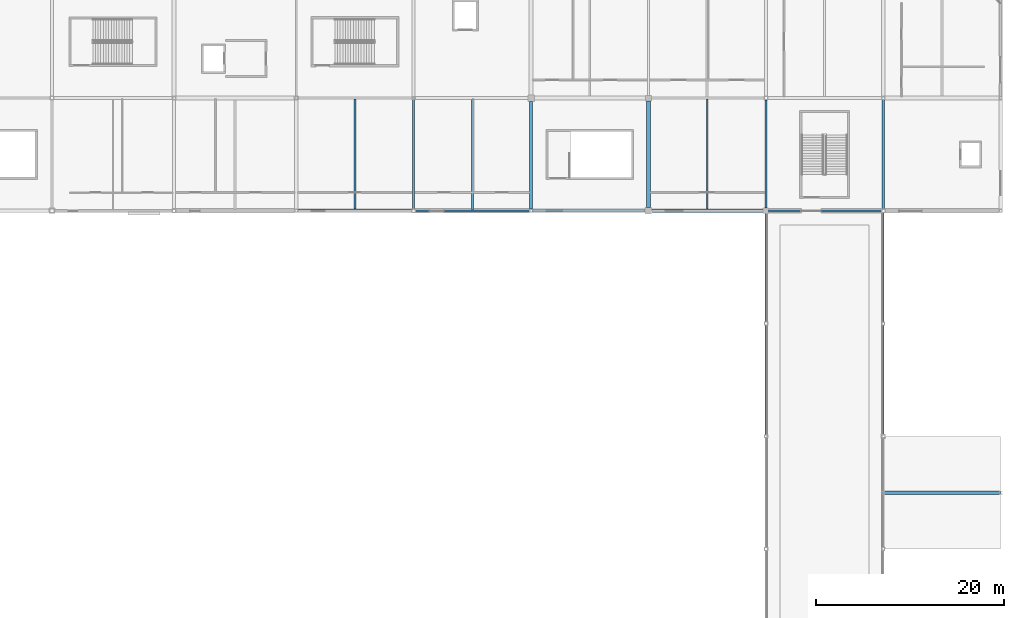
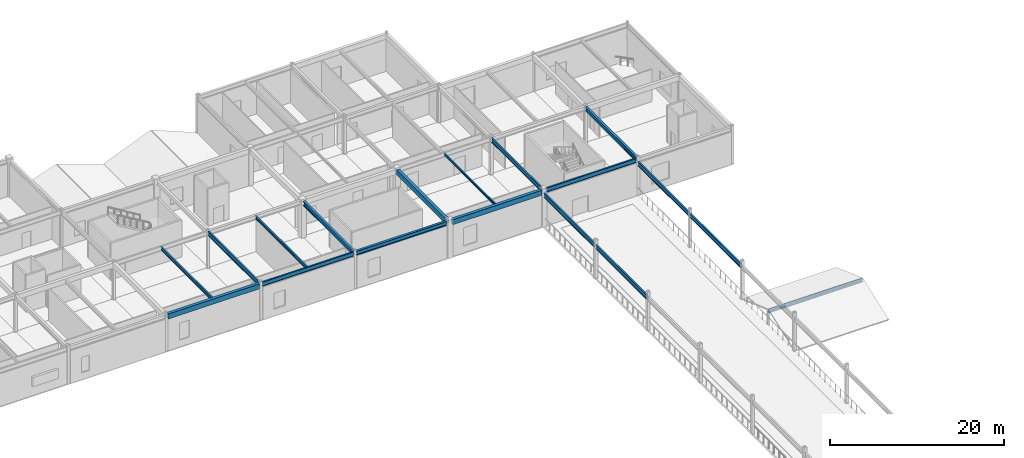
# One storey, part 48 of 105: 17 beams, 1 member.
"""IFC4 building model written with IfcOpenShell, lengths in metres."""

from ifc_helpers import new_model, si_unit, direction, frame, origin, origin_2d, place, context, subcontext, project, spatial, rectangle, i_section, extrude, material, material_profile, profile_set, type_object, element, save


model = new_model("IFC4")

# Units and contexts
model_context = context("Model", 3, precision=1e-05, world=origin(), true_north=direction((0.0, 1.0)))
body_context = subcontext(model_context, "Body", "Model", "MODEL_VIEW")
ifc_project = project(units=[si_unit("LENGTHUNIT", "METRE"), si_unit("AREAUNIT", "SQUARE_METRE"), si_unit("VOLUMEUNIT", "CUBIC_METRE"), si_unit("PLANEANGLEUNIT", "RADIAN"), si_unit("MASSUNIT", "GRAM", prefix="KILO")], contexts=[model_context])

# Site, building, storey
site_placement = place(None, origin())
site = spatial("IfcSite", under=ifc_project, at=site_placement, CompositionType="ELEMENT")
building_placement = place(site_placement, origin())
building = spatial("IfcBuilding", under=site, at=building_placement, Name="Kazenohara Klinker Stadium", CompositionType="ELEMENT")
storey_placement = place(building_placement, frame((0.0, 0.0, 20.39990234375)))
storey = spatial("IfcBuildingStorey", under=building, at=storey_placement, Name="L04", CompositionType="ELEMENT", Elevation=20.39990234375)

# Beams
ifc_material_1 = material(Name="Steel S355", Category="steel")
ifc_material_profile_1 = material_profile(ifc_material_1, i_section(OverallWidth=0.199951171875, OverallDepth=0.449951171875, WebThickness=0.009033203125, FlangeThickness=0.013916015625, FilletRadius=0.012939453125, at=origin_2d()), Name="H-450x200x9x14")
ifc_profile_set_1 = profile_set([ifc_material_profile_1], Name="Steel S355")
beam_type_1 = type_object("IfcBeamType", Name="BM-JST02", PredefinedType="JOIST", material=ifc_profile_set_1)
beam_1_placement = place(storey_placement, frame((131.25, 132.199951171875, 4.955078125), z_axis=(0.0, 1.0, 0.0), x_axis=(-1.0, 0.0, 0.0)))
element("IfcBeam", 1, at=beam_1_placement, inside=storey, type_object=beam_type_1, Name="Secondary floor joist SJ02 L04 11/M", PredefinedType="JOIST", context=body_context, shape_type="SweptSolid", body=[
    extrude(i_section(OverallWidth=0.199951171875, OverallDepth=0.449951171875, WebThickness=0.009033203125, FlangeThickness=0.013916015625, FilletRadius=0.012939453125, at=origin_2d()), origin(), (0.0, 0.0, 1.0), 11.699951171875),
])
ifc_material_profile_2 = material_profile(ifc_material_1, i_section(OverallWidth=0.199951171875, OverallDepth=0.39990234375, WebThickness=0.008056640625, FlangeThickness=0.012939453125, FilletRadius=0.012939453125, at=origin_2d()), Name="H-400x200x8x13")
ifc_profile_set_2 = profile_set([ifc_material_profile_2], Name="Steel S355")
beam_type_2 = type_object("IfcBeamType", Name="BM-JST03", PredefinedType="JOIST", material=ifc_profile_set_2)
beam_2_placement = place(storey_placement, frame((143.75, 132.10009765625, 4.97998046875), z_axis=(0.0, 1.0, 0.0), x_axis=(-1.0, 0.0, 0.0)))
element("IfcBeam", 2, at=beam_2_placement, inside=storey, type_object=beam_type_2, Name="Secondary floor joist SJ03 L04 12/M", PredefinedType="JOIST", context=body_context, shape_type="SweptSolid", body=[
    extrude(i_section(OverallWidth=0.199951171875, OverallDepth=0.39990234375, WebThickness=0.008056640625, FlangeThickness=0.012939453125, FilletRadius=0.012939453125, at=origin_2d()), origin(), (0.0, 0.0, 1.0), 11.75),
])
ifc_material_profile_3 = material_profile(ifc_material_1, i_section(OverallWidth=0.14990234375, OverallDepth=0.300048828125, WebThickness=0.006591796875, FlangeThickness=0.009033203125, FilletRadius=0.012939453125, at=origin_2d()), Name="H-300x150x6.5x9")
ifc_profile_set_3 = profile_set([ifc_material_profile_3], Name="Steel S355")
beam_type_3 = type_object("IfcBeamType", Name="BM-JST05", PredefinedType="JOIST", material=ifc_profile_set_3)
beam_3_placement = place(storey_placement, frame((168.75, 132.199951171875, 5.030029296875), z_axis=(0.0, 1.0, 0.0), x_axis=(-1.0, 0.0, 0.0)))
element("IfcBeam", 3, at=beam_3_placement, inside=storey, type_object=beam_type_3, Name="Secondary floor joist SJ05 L04 14/M", PredefinedType="JOIST", context=body_context, shape_type="SweptSolid", body=[
    extrude(i_section(OverallWidth=0.14990234375, OverallDepth=0.300048828125, WebThickness=0.006591796875, FlangeThickness=0.009033203125, FilletRadius=0.012939453125, at=origin_2d()), origin(), (0.0, 0.0, 1.0), 11.699951171875),
])
ifc_material_2 = material(Name="Concrete C40/50", Category="concrete")
ifc_material_profile_4 = material_profile(ifc_material_2, rectangle(XDim=0.39990234375, YDim=0.699951171875, at=origin_2d()), Name="RC-BM-400x700")
ifc_profile_set_4 = profile_set([ifc_material_profile_4], Name="Concrete C40/50")
beam_type_4 = type_object("IfcBeamType", Name="BM-RC04", PredefinedType="BEAM", material=ifc_profile_set_4)
beam_4_placement = place(storey_placement, frame((125.175048828125, 132.0, 4.830078125), z_axis=(1.0, 0.0, 0.0), x_axis=(0.0, 1.0, 0.0)))
element("IfcBeam", 4, at=beam_4_placement, inside=storey, type_object=beam_type_4, Name="Primary girder BG04 L04 11-12/M", PredefinedType="BEAM", context=body_context, shape_type="SweptSolid", body=[
    extrude(rectangle(XDim=0.39990234375, YDim=0.699951171875, at=origin_2d()), origin(), (0.0, 0.0, 1.0), 12.125),
])
beam_5_placement = place(storey_placement, frame((162.85009765625, 132.0, 4.830078125), z_axis=(1.0, 0.0, 0.0), x_axis=(0.0, 1.0, 0.0)))
element("IfcBeam", 5, at=beam_5_placement, inside=storey, type_object=beam_type_4, Name="Primary girder BG04 L04 14-15/M", PredefinedType="BEAM", context=body_context, shape_type="SweptSolid", body=[
    extrude(rectangle(XDim=0.39990234375, YDim=0.699951171875, at=origin_2d()), origin(), (0.0, 0.0, 1.0), 11.849853515625),
])
beam_6_placement = place(storey_placement, frame((162.5, 132.35009765625, 4.830078125), z_axis=(0.0, 1.0, 0.0), x_axis=(-1.0, 0.0, 0.0)))
element("IfcBeam", 6, at=beam_6_placement, inside=storey, type_object=beam_type_4, Name="Primary girder BG04 L04 14/M-N", PredefinedType="BEAM", context=body_context, shape_type="SweptSolid", body=[
    extrude(rectangle(XDim=0.39990234375, YDim=0.699951171875, at=origin_2d()), origin(), (0.0, 0.0, 1.0), 11.349853515625),
])
ifc_material_profile_5 = material_profile(ifc_material_1, i_section(OverallWidth=0.199951171875, OverallDepth=0.60009765625, WebThickness=0.010986328125, FlangeThickness=0.01708984375, FilletRadius=0.012939453125, at=origin_2d()), Name="H-600x200x11x17")
ifc_profile_set_5 = profile_set([ifc_material_profile_5], Name="Steel S355")
beam_type_5 = type_object("IfcBeamType", Name="BM-ST04", PredefinedType="BEAM", material=ifc_profile_set_5)
beam_7_placement = place(storey_placement, frame((137.699951171875, 132.0, 4.880126953125), z_axis=(1.0, 0.0, 0.0), x_axis=(0.0, 1.0, 0.0)))
element("IfcBeam", 7, at=beam_7_placement, inside=storey, type_object=beam_type_5, Name="Primary girder SB04 L04 12-13/M", PredefinedType="BEAM", context=body_context, shape_type="SweptSolid", body=[
    extrude(i_section(OverallWidth=0.199951171875, OverallDepth=0.60009765625, WebThickness=0.010986328125, FlangeThickness=0.01708984375, FilletRadius=0.012939453125, at=origin_2d()), origin(), (0.0, 0.0, 1.0), 12.125),
])
beam_8_placement = place(storey_placement, frame((175.300048828125, 132.0, 4.880126953125), z_axis=(1.0, 0.0, 0.0), x_axis=(0.0, 1.0, 0.0)))
element("IfcBeam", 8, at=beam_8_placement, inside=storey, type_object=beam_type_5, Name="Primary girder SB04 L04 15-16/M", PredefinedType="BEAM", context=body_context, shape_type="SweptSolid", body=[
    extrude(i_section(OverallWidth=0.199951171875, OverallDepth=0.60009765625, WebThickness=0.010986328125, FlangeThickness=0.01708984375, FilletRadius=0.012939453125, at=origin_2d()), origin(), (0.0, 0.0, 1.0), 12.0),
])
beam_9_placement = place(storey_placement, frame((137.5, 132.199951171875, 4.880126953125), z_axis=(0.0, 1.0, 0.0), x_axis=(-1.0, 0.0, 0.0)))
element("IfcBeam", 9, at=beam_9_placement, inside=storey, type_object=beam_type_5, Name="Primary girder SB04 L04 12/M-N", PredefinedType="BEAM", context=body_context, shape_type="SweptSolid", body=[
    extrude(i_section(OverallWidth=0.199951171875, OverallDepth=0.60009765625, WebThickness=0.010986328125, FlangeThickness=0.01708984375, FilletRadius=0.012939453125, at=origin_2d()), origin(), (0.0, 0.0, 1.0), 11.675048828125),
])
beam_10_placement = place(storey_placement, frame((175.0, 132.300048828125, 4.880126953125), z_axis=(0.0, 1.0, 0.0), x_axis=(-1.0, 0.0, 0.0)))
element("IfcBeam", 10, at=beam_10_placement, inside=storey, type_object=beam_type_5, Name="Primary girder SB04 L04 15/M-N", PredefinedType="BEAM", context=body_context, shape_type="SweptSolid", body=[
    extrude(i_section(OverallWidth=0.199951171875, OverallDepth=0.60009765625, WebThickness=0.010986328125, FlangeThickness=0.01708984375, FilletRadius=0.012939453125, at=origin_2d()), origin(), (0.0, 0.0, 1.0), 11.5),
])
for number, where, z_axis, x_axis, name in (
    (11, (175.0, 108.139892578125, 4.4501953125), (0.0, 1.0, 0.0), (-1.0, 0.0, 0.0), "Canopy tie girder SB04 L04 15/K"),
    (12, (187.5, 108.139892578125, 4.4501953125), (0.0, 1.0, 0.0), (-1.0, 0.0, 0.0), "Canopy tie girder SB04 L04 16/K"),
    (13, (175.0, 120.139892578125, 4.4501953125), (0.0, 1.0, 0.0), (-1.0, 0.0, 0.0), "Canopy tie girder SB04 L04 15/L"),
    (14, (187.5, 120.139892578125, 4.4501953125), (0.0, 1.0, 0.0), (-1.0, 0.0, 0.0), "Canopy tie girder SB04 L04 16/L"),
):
    element("IfcBeam", number, at=place(storey_placement, frame(where, z_axis=z_axis, x_axis=x_axis)), inside=storey, type_object=beam_type_5, Name=name, PredefinedType="BEAM", context=body_context, shape_type="SweptSolid", body=[
        extrude(i_section(OverallWidth=0.199951171875, OverallDepth=0.60009765625, WebThickness=0.010986328125, FlangeThickness=0.01708984375, FilletRadius=0.012939453125, at=origin_2d()), origin(), (0.0, 0.0, 1.0), 11.72021484375),
    ])
ifc_material_profile_6 = material_profile(ifc_material_1, i_section(OverallWidth=0.300048828125, OverallDepth=0.587890625, WebThickness=0.011962890625, FlangeThickness=0.02001953125, FilletRadius=0.02197265625, at=origin_2d()), Name="H-588x300x12x20")
ifc_profile_set_6 = profile_set([ifc_material_profile_6], Name="Steel S355")
beam_type_6 = type_object("IfcBeamType", Name="BM-ST05", PredefinedType="BEAM", material=ifc_profile_set_6)
beam_11_placement = place(storey_placement, frame((150.175048828125, 132.0, 4.885986328125), z_axis=(1.0, 0.0, 0.0), x_axis=(0.0, 1.0, 0.0)))
element("IfcBeam", 15, at=beam_11_placement, inside=storey, type_object=beam_type_6, Name="Primary girder SB05 L04 13-14/M", PredefinedType="BEAM", context=body_context, shape_type="SweptSolid", body=[
    extrude(i_section(OverallWidth=0.300048828125, OverallDepth=0.587890625, WebThickness=0.011962890625, FlangeThickness=0.02001953125, FilletRadius=0.02197265625, at=origin_2d()), origin(), (0.0, 0.0, 1.0), 11.974853515625),
])
beam_12_placement = place(storey_placement, frame((150.0, 132.175048828125, 4.885986328125), z_axis=(0.0, 1.0, 0.0), x_axis=(-1.0, 0.0, 0.0)))
element("IfcBeam", 16, at=beam_12_placement, inside=storey, type_object=beam_type_6, Name="Primary girder SB05 L04 13/M-N", PredefinedType="BEAM", context=body_context, shape_type="SweptSolid", body=[
    extrude(i_section(OverallWidth=0.300048828125, OverallDepth=0.587890625, WebThickness=0.011962890625, FlangeThickness=0.02001953125, FilletRadius=0.02197265625, at=origin_2d()), origin(), (0.0, 0.0, 1.0), 11.474853515625),
])
beam_13_placement = place(storey_placement, frame((187.5, 132.199951171875, 4.885986328125), z_axis=(0.0, 1.0, 0.0), x_axis=(-1.0, 0.0, 0.0)))
element("IfcBeam", 17, at=beam_13_placement, inside=storey, type_object=beam_type_6, Name="Primary girder SB05 L04 16/M-N", PredefinedType="BEAM", context=body_context, shape_type="SweptSolid", body=[
    extrude(i_section(OverallWidth=0.300048828125, OverallDepth=0.587890625, WebThickness=0.011962890625, FlangeThickness=0.02001953125, FilletRadius=0.02197265625, at=origin_2d()), origin(), (0.0, 0.0, 1.0), 11.625),
])

# Member
ifc_material_profile_7 = material_profile(ifc_material_1, i_section(OverallWidth=0.35009765625, OverallDepth=0.35009765625, WebThickness=0.011962890625, FlangeThickness=0.01904296875, FilletRadius=0.012939453125, at=origin_2d()), Name="H-350x350x12x19")
ifc_profile_set_7 = profile_set([ifc_material_profile_7], Name="Steel S355")
member_type = type_object("IfcMemberType", Name="MEM-CHD02", PredefinedType="CHORD", material=ifc_profile_set_7)
member_placement = place(storey_placement, frame((187.5, 102.0, 1.830078125), z_axis=(1.0, 0.0, 0.0), x_axis=(0.0, 1.0, 0.0)))
element("IfcMember", 18, at=member_placement, inside=storey, type_object=member_type, Name="Stepped pavilion gable ridge beam L04 16/J", PredefinedType="CHORD", context=body_context, shape_type="SweptSolid", body=[
    extrude(i_section(OverallWidth=0.35009765625, OverallDepth=0.35009765625, WebThickness=0.011962890625, FlangeThickness=0.01904296875, FilletRadius=0.012939453125, at=origin_2d()), origin(), (0.0, 0.0, 1.0), 12.5),
])

save(model, "model.ifc")
